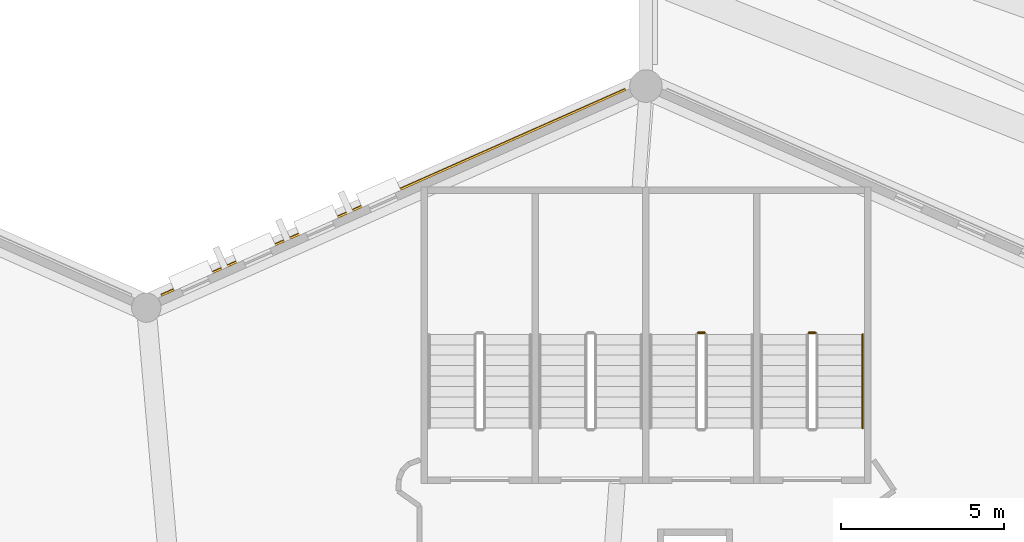
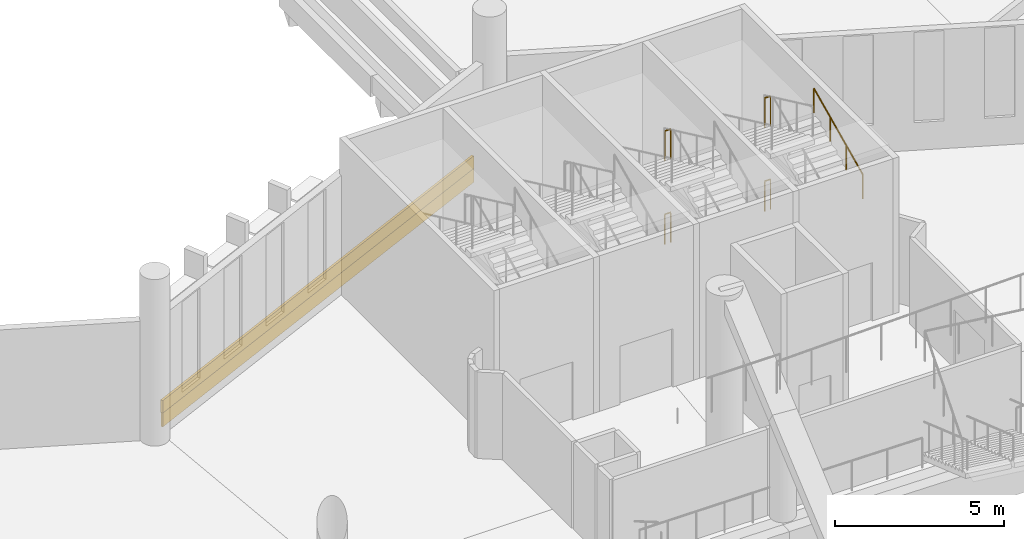
# One storey, part 159 of 173: 5 railings, 2 coverings.
"""IFC4 building model written with IfcOpenShell, lengths in metres."""

from ifc_helpers import new_model, si_unit, direction, frame, origin, origin_2d, place, context, subcontext, project, spatial, rectangle, circle, extrude, material, layer, layer_set, type_object, element, save


model = new_model("IFC4")

# Units and contexts
model_context = context("Model", 3, precision=1e-05, world=origin(), true_north=direction((0.0, 1.0)))
body_context = subcontext(model_context, "Body", "Model", "MODEL_VIEW")
ifc_project = project(units=[si_unit("LENGTHUNIT", "METRE"), si_unit("AREAUNIT", "SQUARE_METRE"), si_unit("VOLUMEUNIT", "CUBIC_METRE"), si_unit("PLANEANGLEUNIT", "RADIAN"), si_unit("MASSUNIT", "GRAM", prefix="KILO")], contexts=[model_context])

# Site, building, storey
site_placement = place(None, origin())
site = spatial("IfcSite", under=ifc_project, at=site_placement, CompositionType="ELEMENT")
building_placement = place(site_placement, origin())
building = spatial("IfcBuilding", under=site, at=building_placement, Name="Meseta Stadium", CompositionType="ELEMENT")
storey_placement = place(building_placement, frame((0.0, 0.0, 18.0)))
storey = spatial("IfcBuildingStorey", under=building, at=storey_placement, Name="L03", CompositionType="ELEMENT", Elevation=18.0)

# Covering
ifc_material_1 = material(Name="Guadarrama granite cladding", Category="masonry")
ifc_layer_1 = layer(ifc_material_1, 0.06005859375)
ifc_layer_set_1 = layer_set([ifc_layer_1], Name="Granite plinth cladding 60")
covering_type_1 = type_object("IfcCoveringType", Name="Granite plinth cladding 60", PredefinedType="CLADDING", material=ifc_layer_set_1)
covering_1_placement = place(storey_placement, frame((-0.085693359375, 102.131591796875, 0.0), z_axis=(0.0, 0.0, 1.0), x_axis=(0.914139367606, 0.405400069798, 0.0)))
element("IfcCovering", 1, at=covering_1_placement, inside=storey, type_object=covering_type_1, Name="Granite plinth L03 F18", PredefinedType="CLADDING", context=body_context, shape_type="SweptSolid", body=[
    extrude(rectangle(XDim=15.58447265625, YDim=0.06005859375, at=origin_2d()), origin(), (0.0, 0.0, 1.0), 0.5),
])

# Railings
ifc_material_2 = material(Name="Steel S355", Category="steel")
railing_type_1 = type_object("IfcRailingType", Name="Stair guard 1100", PredefinedType="GUARDRAIL", material=ifc_material_2)
for number, where, name in (
    (2, (12.86669921875, 97.830078125, 1.5), "ST37 L03 guard 2"),
    (3, (12.86669921875, 97.830078125, 4.5), "ST37 L03 guard 6"),
    (4, (9.466552734375, 97.830078125, 1.5), "ST38 L03 guard 2"),
    (5, (9.466552734375, 97.830078125, 4.5), "ST38 L03 guard 6"),
):
    element("IfcRailing", number, at=place(storey_placement, frame(where)), inside=storey, type_object=railing_type_1, Name=name, PredefinedType="GUARDRAIL", context=body_context, shape_type="SweptSolid", body=[
        extrude(circle(Radius=0.02392578125, at=origin_2d()), frame((0.0, 0.0, 1.076171875), z_axis=(-1.0, 0.0, 0.0), x_axis=(0.0, -1.0, 0.0)), (0.0, 0.0, 1.0), 0.199951171875),
        extrude(circle(Radius=0.02099609375, at=origin_2d()), origin(), (0.0, 0.0, 1.0), 1.052001953125),
        extrude(circle(Radius=0.02099609375, at=origin_2d()), frame((-0.199951171875, 0.0, 0.0)), (0.0, 0.0, 1.0), 1.052001953125),
    ])
ifc_material_3 = material(Name="Steel S355", Category="steel")
railing_type_2 = type_object("IfcRailingType", Name="Stair handrail 900", PredefinedType="HANDRAIL", material=ifc_material_3)
railing_placement = place(storey_placement, frame((14.316650390625, 94.89990234375, 3.14990234375)))
element("IfcRailing", 6, at=railing_placement, inside=storey, type_object=railing_type_2, Name="ST37 L03 handrail 3", PredefinedType="HANDRAIL", context=body_context, shape_type="SweptSolid", body=[
    extrude(circle(Radius=0.02392578125, at=origin_2d()), frame((0.0, 0.0, 0.8759765625), z_axis=(0.0, 0.905454327043, 0.424443708447), x_axis=(-1.0, 0.0, 0.0)), (0.0, 0.0, 1.0), 3.180908203125),
    extrude(circle(Radius=0.02099609375, at=origin_2d()), origin(), (0.0, 0.0, 1.0), 0.851806640625),
    extrude(circle(Radius=0.02099609375, at=origin_2d()), frame((0.0, 0.9599609375, 0.449951171875)), (0.0, 0.0, 1.0), 0.851806640625),
    extrude(circle(Radius=0.02099609375, at=origin_2d()), frame((0.0, 1.920166015625, 0.900146484375)), (0.0, 0.0, 1.0), 0.851806640625),
    extrude(circle(Radius=0.02099609375, at=origin_2d()), frame((0.0, 2.880126953125, 1.35009765625)), (0.0, 0.0, 1.0), 0.851806640625),
])

# Covering
ifc_material_4 = material(Name="Precast concrete C40/50, terracotta pigment", Category="masonry")
ifc_layer_2 = layer(ifc_material_4, 0.080078125)
ifc_layer_set_2 = layer_set([ifc_layer_2], Name="Precast concrete C40/50, terracotta pigment")
covering_type_2 = type_object("IfcCoveringType", Name="Terracotta precast band 80", PredefinedType="CLADDING", material=ifc_layer_set_2)
covering_2_placement = place(storey_placement, frame((-0.089599609375, 102.140625, 0.5), z_axis=(0.0, 0.0, 1.0), x_axis=(0.914139367606, 0.405400069798, 0.0)))
element("IfcCovering", 7, at=covering_2_placement, inside=storey, type_object=covering_type_2, Name="Terracotta band L03 F18", PredefinedType="CLADDING", context=body_context, shape_type="SweptSolid", body=[
    extrude(rectangle(XDim=15.58447265625, YDim=0.080078125, at=origin_2d()), origin(), (0.0, 0.0, 1.0), 0.449951171875),
])

save(model, "model.ifc")
